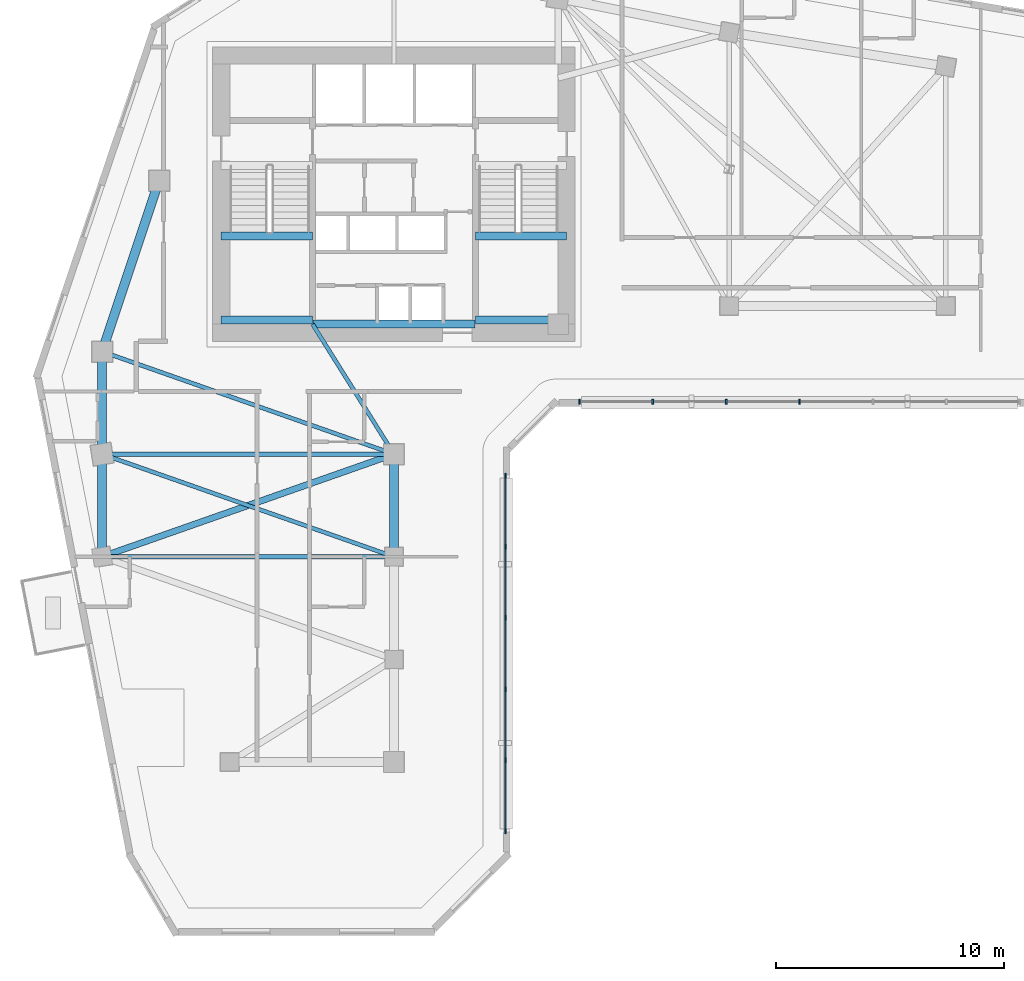
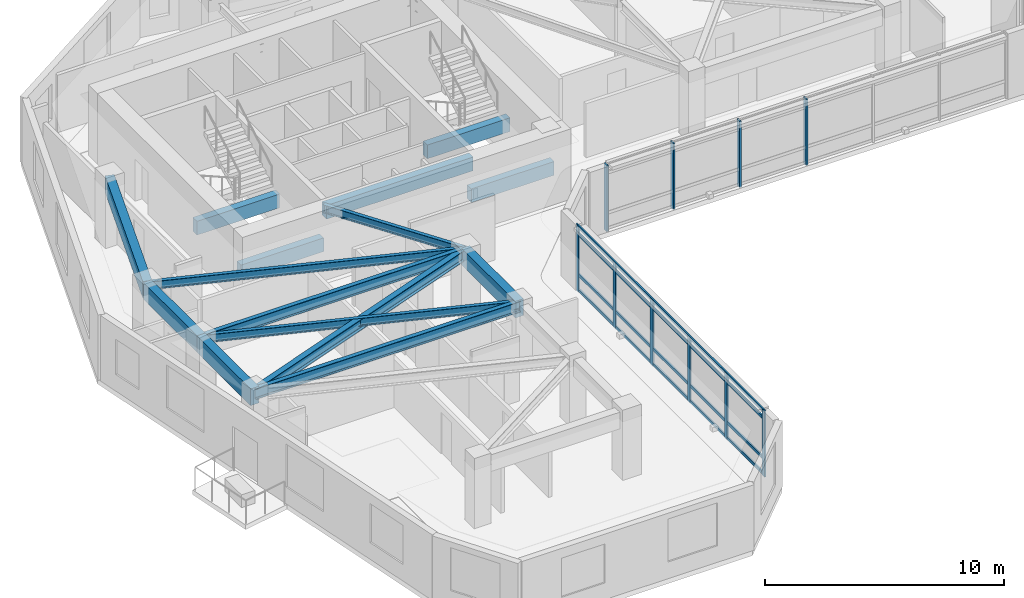
# One storey, part 2 of 11: 15 beams, 14 members, 2 elements without a shape of their own.
"""IFC4 building model written with IfcOpenShell, lengths in metres."""

import ifcopenshell
import ifcopenshell.guid

model = None  # the IFC model being written
_history = None  # IfcOwnerHistory: only IFC2X3 demands one
_inside = {}  # id of a spatial element -> (the spatial element, [elements in it])
_under = {}  # id of a project, library or spatial element -> (it, [spatial elements below it])
_declared = {}  # id of a project -> (the project, [libraries it declares])
_typed = {}  # id of a type object -> (the type object, [elements of that type])
_made_of = {}  # id of a material, layer set ... -> (it, [elements and type objects made of it])


def new_model(schema):
    """Start an empty IFC model of exactly this schema.

    Asked for "IFC4X3", IfcOpenShell would pick the latest addendum, in which some entities
    have other attributes; the version numbers below select the first issue.
    IFC2X3 requires an IfcOwnerHistory on every rooted entity: one is made here for all.
    """
    global model, _history
    if schema == "IFC4X3":
        model = ifcopenshell.file(schema_version=(4, 3, 0, 0))
    else:
        model = ifcopenshell.file(schema=schema)
    _inside.clear()
    _under.clear()
    _declared.clear()
    _typed.clear()
    _made_of.clear()
    _history = None
    if model.schema == "IFC2X3":
        org = make("IfcOrganization", Name="unknown")
        user = make(
            "IfcPersonAndOrganization",
            ThePerson=make("IfcPerson", FamilyName="unknown"),
            TheOrganization=org,
        )
        app = make(
            "IfcApplication",
            ApplicationDeveloper=org,
            Version="unknown",
            ApplicationFullName="unknown",
            ApplicationIdentifier="unknown",
        )
        _history = make(
            "IfcOwnerHistory",
            OwningUser=user,
            OwningApplication=app,
            ChangeAction="ADDED",
            CreationDate=0,
        )
    return model


def make(cls, **values):
    """One entity of the class cls with the attributes given. An attribute that is None is left unset."""
    return model.create_entity(
        cls, **{name: value for name, value in values.items() if value is not None}
    )


def rooted(cls, **values):
    """An entity with a GlobalId (a new one), such as an element, a storey or a relation."""
    return make(cls, GlobalId=ifcopenshell.guid.new(), OwnerHistory=_history, **values)


def si_unit(unit_type, name, prefix=None):
    """IfcSIUnit, for example si_unit("LENGTHUNIT", "METRE", prefix="MILLI")."""
    return make("IfcSIUnit", UnitType=unit_type, Prefix=prefix, Name=name)


def assignment(units):
    """IfcUnitAssignment: the units of a project."""
    return None if units is None else make("IfcUnitAssignment", Units=units)


def point(xyz):
    """IfcCartesianPoint."""
    return None if xyz is None else make("IfcCartesianPoint", Coordinates=xyz)


def direction(xyz):
    """IfcDirection."""
    return None if xyz is None else make("IfcDirection", DirectionRatios=xyz)


def frame(location, z_axis=None, x_axis=None):
    """IfcAxis2Placement3D, a coordinate frame: its origin and axes. An axis left out is left unset."""
    return make(
        "IfcAxis2Placement3D",
        Location=point(location),
        Axis=direction(z_axis),
        RefDirection=direction(x_axis),
    )


def frame_2d(location, x_axis=None):
    """IfcAxis2Placement2D, a coordinate frame in the plane: its origin and x axis."""
    return make(
        "IfcAxis2Placement2D", Location=point(location), RefDirection=direction(x_axis)
    )


def origin():
    """The frame at (0, 0, 0) with its axes left unset."""
    return frame((0.0, 0.0, 0.0))


def origin_2d():
    """The frame at (0, 0) in the plane with its x axis left unset."""
    return frame_2d((0.0, 0.0))


def place(relative_to, where):
    """IfcLocalPlacement: puts the frame where relative to a parent placement (None: the world)."""
    return make(
        "IfcLocalPlacement", PlacementRelTo=relative_to, RelativePlacement=where
    )


def context(
    kind, dimensions, precision=None, world=None, true_north=None, identifier=None
):
    """IfcGeometricRepresentationContext, for example the 3D "Model" context."""
    return make(
        "IfcGeometricRepresentationContext",
        ContextIdentifier=identifier,
        ContextType=kind,
        CoordinateSpaceDimension=dimensions,
        Precision=precision,
        WorldCoordinateSystem=world,
        TrueNorth=true_north,
    )


def subcontext(parent, identifier, kind, view, scale=None):
    """IfcGeometricRepresentationSubContext, for example "Body" below "Model"."""
    return make(
        "IfcGeometricRepresentationSubContext",
        ContextIdentifier=identifier,
        ContextType=kind,
        ParentContext=parent,
        TargetScale=scale,
        TargetView=view,
    )


def project(units=None, contexts=None):
    """IfcProject with its units and contexts."""
    return rooted(
        "IfcProject",
        Name="project",
        RepresentationContexts=contexts,
        UnitsInContext=assignment(units),
    )


def spatial(cls, under=None, at=None, **own):
    """A site, building, storey or space (cls), placed at a placement, below another one or the project."""
    s = rooted(cls, ObjectPlacement=at, **own)
    if under is not None:
        _under.setdefault(under.id(), (under, []))[1].append(s)
    return s


def profile(cls, at=None, kind="AREA", **sizes):
    """A parametric profile (cls). Its sizes go by their IFC names, for example OverallWidth=200.0."""
    return make(cls, ProfileType=kind, Position=at, **sizes)


def rectangle(**sizes):
    """IfcRectangleProfileDef."""
    return profile("IfcRectangleProfileDef", **sizes)


def i_section(**sizes):
    """IfcIShapeProfileDef."""
    return profile("IfcIShapeProfileDef", **sizes)


def extrude(swept, where, along, depth):
    """IfcExtrudedAreaSolid: the profile swept, set in the frame where, extruded along a direction by depth."""
    return make(
        "IfcExtrudedAreaSolid",
        SweptArea=swept,
        Position=where,
        ExtrudedDirection=direction(along),
        Depth=depth,
    )


def shape(context_of_items, identifier, shape_type, items):
    """IfcShapeRepresentation: the items that make up one representation, for example the "Body"."""
    return make(
        "IfcShapeRepresentation",
        ContextOfItems=context_of_items,
        RepresentationIdentifier=identifier,
        RepresentationType=shape_type,
        Items=items,
    )


def source(mapping_origin, context_of_items, identifier, shape_type, items):
    """IfcRepresentationMap: a shape defined once, which mapped items show again and again."""
    return make(
        "IfcRepresentationMap",
        MappingOrigin=mapping_origin,
        MappedRepresentation=shape(context_of_items, identifier, shape_type, items),
    )


def transform(
    local_origin,
    x_axis=None,
    y_axis=None,
    z_axis=None,
    scale=None,
    scale2=None,
    scale3=None,
    uniform=True,
):
    """IfcCartesianTransformationOperator3D, or its non-uniform kind. x_axis, y_axis, z_axis: its Axis1, 2, 3."""
    if uniform:
        return make(
            "IfcCartesianTransformationOperator3D",
            Axis1=direction(x_axis),
            Axis2=direction(y_axis),
            LocalOrigin=point(local_origin),
            Scale=scale,
            Axis3=direction(z_axis),
        )
    return make(
        "IfcCartesianTransformationOperator3DnonUniform",
        Axis1=direction(x_axis),
        Axis2=direction(y_axis),
        LocalOrigin=point(local_origin),
        Scale=scale,
        Axis3=direction(z_axis),
        Scale2=scale2,
        Scale3=scale3,
    )


def mapped(mapping_source, mapping_target):
    """IfcMappedItem: shows the shape of a source again, moved by a transform."""
    return make(
        "IfcMappedItem", MappingSource=mapping_source, MappingTarget=mapping_target
    )


def material(Name=None, Category=None):
    """IfcMaterial."""
    return make("IfcMaterial", Name=Name, Category=Category)


def material_profile(
    of_material, cross_section, Name=None, Category=None, Priority=None
):
    """IfcMaterialProfile: a cross section and its material."""
    return make(
        "IfcMaterialProfile",
        Name=Name,
        Material=of_material,
        Profile=cross_section,
        Priority=Priority,
        Category=Category,
    )


def profile_set(profiles, Name=None, composite=None):
    """IfcMaterialProfileSet."""
    return make(
        "IfcMaterialProfileSet",
        Name=Name,
        MaterialProfiles=profiles,
        CompositeProfile=composite,
    )


def made_of(thing, what):
    """Note that an element or type object is made of a material, layer set ...; save() writes the relation."""
    if what is not None:
        _made_of.setdefault(what.id(), (what, []))[1].append(thing)
    return thing


def type_object(cls, material=None, **own):
    """A type object (cls), such as IfcWallType, which elements share."""
    return made_of(rooted(cls, **own), material)


def element(
    cls,
    number,
    at=None,
    inside=None,
    cuts=None,
    type_object=None,
    material=None,
    context=None,
    identifier="Body",
    shape_type=None,
    held_by="IfcProductDefinitionShape",
    body=None,
    shapes=None,
    **own,
):
    """One element of the class cls, such as IfcWall. Its Tag is "e" and its number.

    at: its placement. inside: the storey or other place that contains it. cuts: it is an
    opening in that element (IfcRelVoidsElement). A single representation is given by context,
    identifier, shape_type and body (its items); several are given by shapes. held_by: the class
    of the entity that holds the representations. save() writes the other relations.
    """
    e = rooted(cls, Tag="e%d" % number, ObjectPlacement=at, **own)
    if body is not None:
        shapes = [shape(context, identifier, shape_type, body)]
    if shapes is not None:
        e.Representation = make(held_by, Representations=shapes)
    if inside is not None:
        _inside.setdefault(inside.id(), (inside, []))[1].append(e)
    if cuts is not None:
        rooted(
            "IfcRelVoidsElement", RelatingBuildingElement=cuts, RelatedOpeningElement=e
        )
    if type_object is not None:
        _typed.setdefault(type_object.id(), (type_object, []))[1].append(e)
    return made_of(e, material)


def aggregate(whole, parts):
    """IfcRelAggregates: a whole, such as a stair, and the parts it consists of."""
    return rooted("IfcRelAggregates", RelatingObject=whole, RelatedObjects=parts)


def save(model, path):
    """Write the relations noted so far, then the file.

    IfcRelAggregates (storeys below a building ...), IfcRelContainedInSpatialStructure (elements
    in a storey), IfcRelDefinesByType, IfcRelAssociatesMaterial and IfcRelDeclares: one each for
    every whole, place, type object, material and project.
    """
    for whole, parts in _under.values():
        aggregate(whole, parts)
    for where, things in _inside.values():
        rooted(
            "IfcRelContainedInSpatialStructure",
            RelatedElements=things,
            RelatingStructure=where,
        )
    for kind, things in _typed.values():
        rooted("IfcRelDefinesByType", RelatedObjects=things, RelatingType=kind)
    for what, things in _made_of.values():
        rooted("IfcRelAssociatesMaterial", RelatedObjects=things, RelatingMaterial=what)
    for by, libraries in _declared.values():
        rooted("IfcRelDeclares", RelatingContext=by, RelatedDefinitions=libraries)
    model.write(path)


model = new_model("IFC4")

# Units and contexts
model_context = context("Model", 3, precision=1e-05, world=origin(), true_north=direction((0.0, 1.0)))
body_context = subcontext(model_context, "Body", "Model", "MODEL_VIEW")
ifc_project = project(units=[si_unit("LENGTHUNIT", "METRE"), si_unit("AREAUNIT", "SQUARE_METRE"), si_unit("VOLUMEUNIT", "CUBIC_METRE"), si_unit("PLANEANGLEUNIT", "RADIAN"), si_unit("MASSUNIT", "GRAM", prefix="KILO")], contexts=[model_context])

# Site, building, storey
site_placement = place(None, origin())
site = spatial("IfcSite", under=ifc_project, at=site_placement, CompositionType="ELEMENT")
building_placement = place(site_placement, origin())
building = spatial("IfcBuilding", under=site, at=building_placement, Name="Calvemar Wedge Station Tower", CompositionType="ELEMENT")
storey_placement = place(building_placement, frame((0.0, 0.0, 114.199951171875)))
storey = spatial("IfcBuildingStorey", under=building, at=storey_placement, Name="L27", CompositionType="ELEMENT", Elevation=114.199951171875)

# Beams
ifc_material_1 = material(Name="Concrete C60", Category="concrete")
ifc_material_profile_1 = material_profile(ifc_material_1, rectangle(XDim=0.39990234375, YDim=0.85009765625, at=origin_2d()), Name="RC400x850")
ifc_profile_set_1 = profile_set([ifc_material_profile_1], Name="Concrete C60")
beam_type_1 = type_object("IfcBeamType", Name="BM-SP1-850", PredefinedType="SPANDREL", material=ifc_profile_set_1)
shared_shape_1 = source(origin(), body_context, "Body", "SweptSolid", [
    extrude(rectangle(XDim=0.39990234375, YDim=0.85009765625, at=origin_2d()), origin(), (0.0, 0.0, 1.0), 7.90576171875),
])
beam_1_placement = place(storey_placement, frame((11.0, 33.0, 2.925048828125), z_axis=(0.316227766017, 0.948683298051, 0.0), x_axis=(-0.948683298051, 0.316227766017, 0.0)))
element("IfcBeam", 1, at=beam_1_placement, inside=storey, type_object=beam_type_1, Name="Storey L27 Spandrel T-NW1-T-NW2", PredefinedType="SPANDREL", context=body_context, shape_type="MappedRepresentation", body=[
    mapped(shared_shape_1, transform((0.0, 0.0, 0.0), scale=1.0)),
])
shared_shape_2 = source(origin(), body_context, "Body", "SweptSolid", [
    extrude(rectangle(XDim=0.39990234375, YDim=0.85009765625, at=origin_2d()), origin(), (0.0, 0.0, 1.0), 4.5),
])
for number, where, z_axis, x_axis, name in (
    (2, (11.0, 33.0, 2.925048828125), (0.0, -1.0, 0.0), (1.0, 0.0, 0.0), "Storey L27 Spandrel T-NW1-T-SW1"),
    (3, (11.0, 28.5, 2.925048828125), (0.0, -1.0, 0.0), (1.0, 0.0, 0.0), "Storey L27 Spandrel T-SW1-T-SW2"),
    (4, (23.800048828125, 28.5, 2.925048828125), (0.0, -1.0, 0.0), (1.0, 0.0, 0.0), "Storey L27 Spandrel T-SE1-T-SE2"),
):
    element("IfcBeam", number, at=place(storey_placement, frame(where, z_axis=z_axis, x_axis=x_axis)), inside=storey, type_object=beam_type_1, Name=name, PredefinedType="SPANDREL", context=body_context, shape_type="MappedRepresentation", body=[
        mapped(shared_shape_2, transform((0.0, 0.0, 0.0), scale=1.0)),
    ])
ifc_material_2 = material(Name="Structural steel ASTM A572 Grade 50", Category="steel")
ifc_material_profile_2 = material_profile(ifc_material_2, i_section(OverallWidth=0.177978515625, OverallDepth=0.406982421875, WebThickness=0.0078125, FlangeThickness=0.0126953125, FilletRadius=0.010009765625, at=origin_2d()), Name="W410x60")
ifc_profile_set_2 = profile_set([ifc_material_profile_2], Name="Structural steel ASTM A572 Grade 50")
beam_type_2 = type_object("IfcBeamType", Name="BM-J3-W410", PredefinedType="JOIST", material=ifc_profile_set_2)
shared_shape_3 = source(origin(), body_context, "Body", "SweptSolid", [
    extrude(i_section(OverallWidth=0.177978515625, OverallDepth=0.406982421875, WebThickness=0.0078125, FlangeThickness=0.0126953125, FilletRadius=0.010009765625, at=origin_2d()), origin(), (0.0, 0.0, 1.0), 13.568115234375),
])
for number, where, z_axis, x_axis, name in (
    (5, (11.0, 33.0, 3.146484375), (0.943398221169, -0.331662171939, 0.0), (0.331662171939, 0.943398221169, 0.0), "Storey L27 Floor Beam T-NW1-T-SE1"),
    (6, (11.0, 28.5, 3.146484375), (0.943398221169, -0.331662171939, 0.0), (0.331662171939, 0.943398221169, 0.0), "Storey L27 Floor Beam T-SW1-T-SE2"),
):
    element("IfcBeam", number, at=place(storey_placement, frame(where, z_axis=z_axis, x_axis=x_axis)), inside=storey, type_object=beam_type_2, Name=name, PredefinedType="JOIST", context=body_context, shape_type="MappedRepresentation", body=[
        mapped(shared_shape_3, transform((0.0, 0.0, 0.0), scale=1.0)),
    ])
ifc_material_profile_3 = material_profile(ifc_material_2, i_section(OverallWidth=0.279052734375, OverallDepth=0.553955078125, WebThickness=0.017578125, FlangeThickness=0.029541015625, FilletRadius=0.014892578125, at=origin_2d()), Name="W530x196")
ifc_profile_set_3 = profile_set([ifc_material_profile_3], Name="Structural steel ASTM A572 Grade 50")
beam_type_3 = type_object("IfcBeamType", Name="BM-SB3-W530H", PredefinedType="BEAM", material=ifc_profile_set_3)
shared_shape_4 = source(origin(), body_context, "Body", "SweptSolid", [
    extrude(i_section(OverallWidth=0.279052734375, OverallDepth=0.553955078125, WebThickness=0.017578125, FlangeThickness=0.029541015625, FilletRadius=0.014892578125, at=origin_2d()), origin(), (0.0, 0.0, 1.0), 13.568115234375),
])
beam_2_placement = place(storey_placement, frame((23.800048828125, 28.5, 3.072998046875), z_axis=(-0.943398221169, -0.331662171939, 0.0), x_axis=(0.331662171939, -0.943398221169, 0.0)))
element("IfcBeam", 7, at=beam_2_placement, inside=storey, type_object=beam_type_3, Name="Storey L27 Floor Beam T-SE1-T-SW2", PredefinedType="BEAM", context=body_context, shape_type="MappedRepresentation", body=[
    mapped(shared_shape_4, transform((0.0, 0.0, 0.0), scale=1.0)),
])
shared_shape_5 = source(origin(), body_context, "Body", "SweptSolid", [
    extrude(i_section(OverallWidth=0.177978515625, OverallDepth=0.406982421875, WebThickness=0.0078125, FlangeThickness=0.0126953125, FilletRadius=0.010009765625, at=origin_2d()), origin(), (0.0, 0.0, 1.0), 6.7255859375),
])
beam_3_placement = place(storey_placement, frame((20.22998046875, 34.199951171875, 3.146484375), z_axis=(0.530811158438, -0.847490126242, 0.0), x_axis=(0.847490126242, 0.530811158438, 0.0)))
element("IfcBeam", 8, at=beam_3_placement, inside=storey, type_object=beam_type_2, Name="Storey L27 Core-to-Column Joist CJ-S2", PredefinedType="JOIST", context=body_context, shape_type="MappedRepresentation", body=[
    mapped(shared_shape_5, transform((0.0, 0.0, 0.0), scale=1.0)),
])
ifc_material_3 = material(Name="Concrete C70", Category="concrete")
ifc_material_profile_4 = material_profile(ifc_material_3, rectangle(XDim=0.35009765625, YDim=0.699951171875, at=origin_2d()), Name="RC350x700")
ifc_profile_set_4 = profile_set([ifc_material_profile_4], Name="Concrete C70")
beam_type_4 = type_object("IfcBeamType", Name="BM-LN1-700", PredefinedType="LINTEL", material=ifc_profile_set_4)
shared_shape_6 = source(origin(), body_context, "Body", "SweptSolid", [
    extrude(rectangle(XDim=0.35009765625, YDim=0.699951171875, at=origin_2d()), origin(), (0.0, 0.0, 1.0), 7.10009765625),
])
beam_4_placement = place(storey_placement, frame((20.25, 34.199951171875, 3.0), z_axis=(1.0, 0.0, 0.0), x_axis=(0.0, 1.0, 0.0)))
element("IfcBeam", 9, at=beam_4_placement, inside=storey, type_object=beam_type_4, Name="Storey L27 Core Coupling Lintel South", PredefinedType="LINTEL", context=body_context, shape_type="MappedRepresentation", body=[
    mapped(shared_shape_6, transform((0.0, 0.0, 0.0), scale=1.0)),
])
shared_shape_7 = source(origin(), body_context, "Body", "SweptSolid", [
    extrude(rectangle(XDim=0.35009765625, YDim=0.699951171875, at=origin_2d()), origin(), (0.0, 0.0, 1.0), 4.0048828125),
])
for number, where, z_axis, x_axis, name in (
    (10, (16.22509765625, 34.3798828125, 1.25), (1.0, 0.0, 0.0), (0.0, 1.0, 0.0), "Storey L27 Stair ST-C1 Half-Landing Beam 1A"),
    (11, (16.22509765625, 38.070068359375, 1.25), (1.0, 0.0, 0.0), (0.0, 1.0, 0.0), "Storey L27 Stair ST-C1 Half-Landing Beam 1B"),
    (12, (27.3701171875, 34.3798828125, 1.25), (1.0, 0.0, 0.0), (0.0, 1.0, 0.0), "Storey L27 Stair ST-C2 Half-Landing Beam 1A"),
    (13, (27.3701171875, 38.070068359375, 1.25), (1.0, 0.0, 0.0), (0.0, 1.0, 0.0), "Storey L27 Stair ST-C2 Half-Landing Beam 1B"),
):
    element("IfcBeam", number, at=place(storey_placement, frame(where, z_axis=z_axis, x_axis=x_axis)), inside=storey, type_object=beam_type_4, Name=name, PredefinedType="LINTEL", context=body_context, shape_type="MappedRepresentation", body=[
        mapped(shared_shape_7, transform((0.0, 0.0, 0.0), scale=1.0)),
    ])
ifc_material_profile_5 = material_profile(ifc_material_2, i_section(OverallWidth=0.2109375, OverallDepth=0.5390625, WebThickness=0.01171875, FlangeThickness=0.018798828125, FilletRadius=0.012939453125, at=origin_2d()), Name="W530x109")
ifc_profile_set_5 = profile_set([ifc_material_profile_5], Name="Structural steel ASTM A572 Grade 50")
beam_type_5 = type_object("IfcBeamType", Name="BM-SB4-W530", PredefinedType="BEAM", material=ifc_profile_set_5)
shared_shape_8 = source(origin(), body_context, "Body", "SweptSolid", [
    extrude(i_section(OverallWidth=0.2109375, OverallDepth=0.5390625, WebThickness=0.01171875, FlangeThickness=0.018798828125, FilletRadius=0.012939453125, at=origin_2d()), origin(), (0.0, 0.0, 1.0), 12.800048828125),
])
for number, where, z_axis, x_axis, name in (
    (14, (11.0, 28.5, 3.08056640625), (1.0, 0.0, 0.0), (0.0, 1.0, 0.0), "Storey L27 Floor Beam T-SW1-T-SE1"),
    (15, (11.0, 24.0, 3.08056640625), (1.0, 0.0, 0.0), (0.0, 1.0, 0.0), "Storey L27 Floor Beam T-SW2-T-SE2"),
):
    element("IfcBeam", number, at=place(storey_placement, frame(where, z_axis=z_axis, x_axis=x_axis)), inside=storey, type_object=beam_type_5, Name=name, PredefinedType="BEAM", context=body_context, shape_type="MappedRepresentation", body=[
        mapped(shared_shape_8, transform((0.0, 0.0, 0.0), scale=1.0)),
    ])

# Curtain wall, members
ifc_material_4 = material(Name="Anodised aluminium 6063-T6", Category="aluminium")
curtain_wall_type = type_object("IfcCurtainWallType", Name="CW2", PredefinedType="NOTDEFINED", material=ifc_material_4)
curtain_wall_1_placement = place(storey_placement, origin())
curtain_wall_1 = element("IfcCurtainWall", 16, at=curtain_wall_1_placement, inside=storey, type_object=curtain_wall_type, Name="Storey L27 CW2 Recessed Unitised Curtain Wall 4", PredefinedType="NOTDEFINED")
ifc_material_profile_6 = material_profile(ifc_material_4, rectangle(XDim=0.074951171875, YDim=0.219970703125, at=origin_2d()), Name="AL-MUL-75x220")
ifc_profile_set_6 = profile_set([ifc_material_profile_6], Name="Anodised aluminium 6063-T6")
member_type_1 = type_object("IfcMemberType", Name="CW2-MUL", PredefinedType="MULLION", material=ifc_profile_set_6)
shared_shape_9 = source(origin(), body_context, "Body", "SweptSolid", [
    extrude(rectangle(XDim=0.074951171875, YDim=0.219970703125, at=origin_2d()), origin(), (0.0, 0.0, 1.0), 3.400146484375),
])
member_1_placement = place(storey_placement, frame((28.68603515625, 11.962158203125, -0.050048828125), z_axis=(0.0, 0.0, 1.0), x_axis=(1.0, 0.0, 0.0)))
member_1 = element("IfcMember", 17, at=member_1_placement, type_object=member_type_1, Name="CW2 mullion 1", PredefinedType="MULLION", context=body_context, shape_type="MappedRepresentation", body=[
    mapped(shared_shape_9, transform((0.0, 0.0, 0.0), scale=1.0)),
])
member_2_placement = place(storey_placement, frame((28.68603515625, 15.08056640625, -0.050048828125), z_axis=(0.0, 0.0, 1.0), x_axis=(1.0, 0.0, 0.0)))
member_2 = element("IfcMember", 18, at=member_2_placement, type_object=member_type_1, Name="CW2 mullion 2", PredefinedType="MULLION", context=body_context, shape_type="MappedRepresentation", body=[
    mapped(shared_shape_9, transform((0.0, 0.0, 0.0), scale=1.0)),
])
member_3_placement = place(storey_placement, frame((28.68603515625, 18.198974609375, -0.050048828125), z_axis=(0.0, 0.0, 1.0), x_axis=(1.0, 0.0, 0.0)))
member_3 = element("IfcMember", 19, at=member_3_placement, type_object=member_type_1, Name="CW2 mullion 3", PredefinedType="MULLION", context=body_context, shape_type="MappedRepresentation", body=[
    mapped(shared_shape_9, transform((0.0, 0.0, 0.0), scale=1.0)),
])
member_4_placement = place(storey_placement, frame((28.68603515625, 21.3173828125, -0.050048828125), z_axis=(0.0, 0.0, 1.0), x_axis=(1.0, 0.0, 0.0)))
member_4 = element("IfcMember", 20, at=member_4_placement, type_object=member_type_1, Name="CW2 mullion 4", PredefinedType="MULLION", context=body_context, shape_type="MappedRepresentation", body=[
    mapped(shared_shape_9, transform((0.0, 0.0, 0.0), scale=1.0)),
])
member_5_placement = place(storey_placement, frame((28.68603515625, 24.435791015625, -0.050048828125), z_axis=(0.0, 0.0, 1.0), x_axis=(1.0, 0.0, 0.0)))
member_5 = element("IfcMember", 21, at=member_5_placement, type_object=member_type_1, Name="CW2 mullion 5", PredefinedType="MULLION", context=body_context, shape_type="MappedRepresentation", body=[
    mapped(shared_shape_9, transform((0.0, 0.0, 0.0), scale=1.0)),
])
member_6_placement = place(storey_placement, frame((28.68603515625, 27.55419921875, -0.050048828125), z_axis=(0.0, 0.0, 1.0), x_axis=(1.0, 0.0, 0.0)))
member_6 = element("IfcMember", 22, at=member_6_placement, type_object=member_type_1, Name="CW2 mullion 6", PredefinedType="MULLION", context=body_context, shape_type="MappedRepresentation", body=[
    mapped(shared_shape_9, transform((0.0, 0.0, 0.0), scale=1.0)),
])

curtain_wall_2_placement = place(storey_placement, origin())
curtain_wall_2 = element("IfcCurtainWall", 23, at=curtain_wall_2_placement, inside=storey, type_object=curtain_wall_type, Name="Storey L27 CW2 Recessed Unitised Curtain Wall 6", PredefinedType="NOTDEFINED")
member_7_placement = place(storey_placement, frame((31.933837890625, 30.802001953125, -0.050048828125), z_axis=(0.0, 0.0, 1.0), x_axis=(1.0, 0.0, 0.0)))
member_7 = element("IfcMember", 24, at=member_7_placement, type_object=member_type_1, Name="CW2 mullion 1", PredefinedType="MULLION", context=body_context, shape_type="MappedRepresentation", body=[
    mapped(shared_shape_9, transform((0.0, 0.0, 0.0), scale=1.0)),
])
member_8_placement = place(storey_placement, frame((35.151123046875, 30.802001953125, -0.050048828125), z_axis=(0.0, 0.0, 1.0), x_axis=(1.0, 0.0, 0.0)))
member_8 = element("IfcMember", 25, at=member_8_placement, type_object=member_type_1, Name="CW2 mullion 2", PredefinedType="MULLION", context=body_context, shape_type="MappedRepresentation", body=[
    mapped(shared_shape_9, transform((0.0, 0.0, 0.0), scale=1.0)),
])
member_9_placement = place(storey_placement, frame((38.36865234375, 30.802001953125, -0.050048828125), z_axis=(0.0, 0.0, 1.0), x_axis=(1.0, 0.0, 0.0)))
member_9 = element("IfcMember", 26, at=member_9_placement, type_object=member_type_1, Name="CW2 mullion 3", PredefinedType="MULLION", context=body_context, shape_type="MappedRepresentation", body=[
    mapped(shared_shape_9, transform((0.0, 0.0, 0.0), scale=1.0)),
])
member_10_placement = place(storey_placement, frame((41.5859375, 30.802001953125, -0.050048828125), z_axis=(0.0, 0.0, 1.0), x_axis=(1.0, 0.0, 0.0)))
member_10 = element("IfcMember", 27, at=member_10_placement, type_object=member_type_1, Name="CW2 mullion 4", PredefinedType="MULLION", context=body_context, shape_type="MappedRepresentation", body=[
    mapped(shared_shape_9, transform((0.0, 0.0, 0.0), scale=1.0)),
])
aggregate(curtain_wall_2, [member_7, member_8, member_9, member_10])

# Member
ifc_material_profile_7 = material_profile(ifc_material_4, rectangle(XDim=0.074951171875, YDim=0.14990234375, at=origin_2d()), Name="AL-TRN-75x150")
ifc_profile_set_7 = profile_set([ifc_material_profile_7], Name="Anodised aluminium 6063-T6")
member_type_2 = type_object("IfcMemberType", Name="CW2-TRN", PredefinedType="USERDEFINED", material=ifc_profile_set_7)
shared_shape_10 = source(origin(), body_context, "Body", "SweptSolid", [
    extrude(rectangle(XDim=0.074951171875, YDim=0.14990234375, at=origin_2d()), origin(), (0.0, 0.0, 1.0), 15.592041015625),
])
member_11_placement = place(storey_placement, frame((28.68603515625, 11.962158203125, 0.06005859375), z_axis=(0.0, 1.0, 0.0), x_axis=(-1.0, 0.0, 0.0)))
member_11 = element("IfcMember", 28, at=member_11_placement, type_object=member_type_2, Name="CW2 transom 1", ObjectType="TRANSOM", PredefinedType="USERDEFINED", context=body_context, shape_type="MappedRepresentation", body=[
    mapped(shared_shape_10, transform((0.0, 0.0, 0.0), scale=1.0)),
])

member_12_placement = place(storey_placement, frame((28.68603515625, 11.962158203125, 0.85009765625), z_axis=(0.0, 1.0, 0.0), x_axis=(-1.0, 0.0, 0.0)))
member_12 = element("IfcMember", 29, at=member_12_placement, type_object=member_type_2, Name="CW2 transom 2", ObjectType="TRANSOM", PredefinedType="USERDEFINED", context=body_context, shape_type="MappedRepresentation", body=[
    mapped(shared_shape_10, transform((0.0, 0.0, 0.0), scale=1.0)),
])

member_13_placement = place(storey_placement, frame((28.68603515625, 11.962158203125, 2.900146484375), z_axis=(0.0, 1.0, 0.0), x_axis=(-1.0, 0.0, 0.0)))
member_13 = element("IfcMember", 30, at=member_13_placement, type_object=member_type_2, Name="CW2 transom 3", ObjectType="TRANSOM", PredefinedType="USERDEFINED", context=body_context, shape_type="MappedRepresentation", body=[
    mapped(shared_shape_10, transform((0.0, 0.0, 0.0), scale=1.0)),
])

member_14_placement = place(storey_placement, frame((28.68603515625, 11.962158203125, 3.2900390625), z_axis=(0.0, 1.0, 0.0), x_axis=(-1.0, 0.0, 0.0)))
member_14 = element("IfcMember", 31, at=member_14_placement, type_object=member_type_2, Name="CW2 transom 4", ObjectType="TRANSOM", PredefinedType="USERDEFINED", context=body_context, shape_type="MappedRepresentation", body=[
    mapped(shared_shape_10, transform((0.0, 0.0, 0.0), scale=1.0)),
])

aggregate(curtain_wall_1, [member_1, member_2, member_3, member_4, member_5, member_6, member_11, member_12, member_13, member_14])

save(model, "model.ifc")
